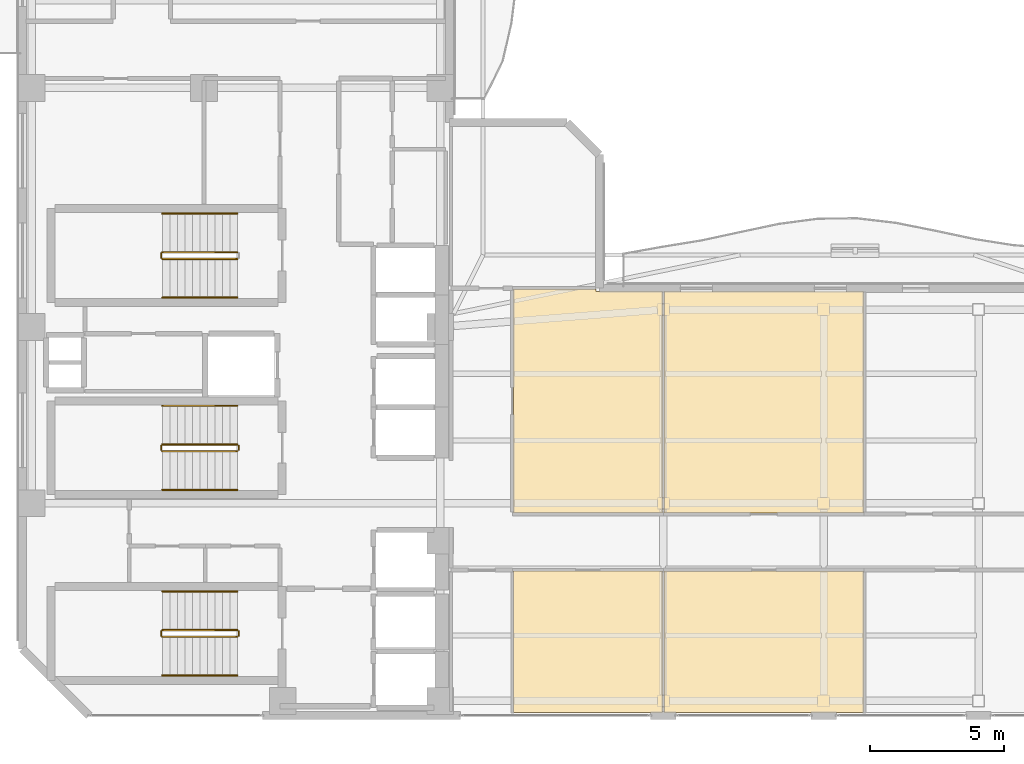
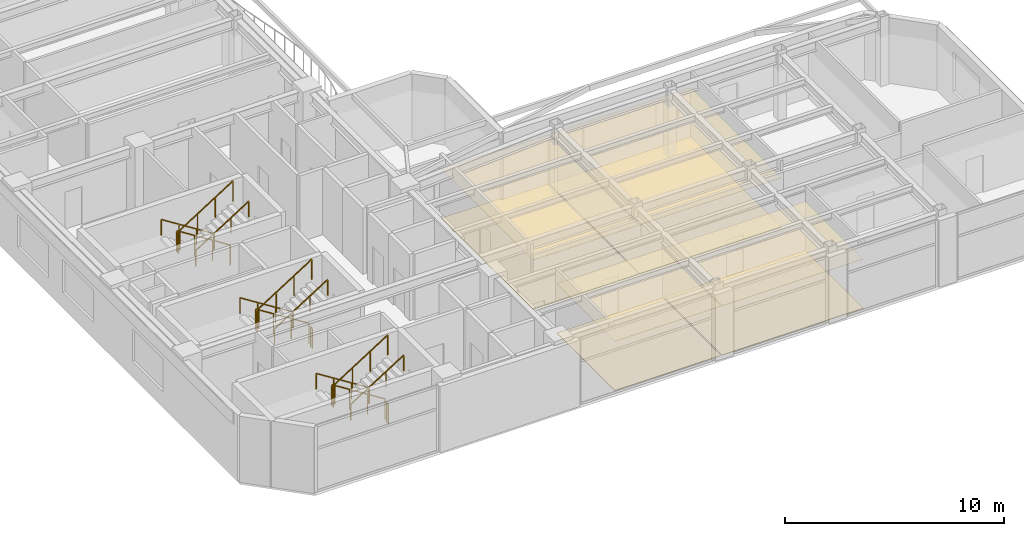
# One storey, part 13 of 16: 17 railings, 8 coverings.
"""IFC4 building model written with IfcOpenShell, lengths in metres."""

from ifc_helpers import new_model, si_unit, direction, frame, origin, origin_2d, place, context, subcontext, project, spatial, polyline, rectangle, outline, extrude, material, layer, layer_set, type_object, element, save


model = new_model("IFC4")

# Units and contexts
model_context = context("Model", 3, precision=1e-05, world=origin(), true_north=direction((0.0, 1.0)))
body_context = subcontext(model_context, "Body", "Model", "MODEL_VIEW")
ifc_project = project(units=[si_unit("LENGTHUNIT", "METRE"), si_unit("AREAUNIT", "SQUARE_METRE"), si_unit("VOLUMEUNIT", "CUBIC_METRE"), si_unit("PLANEANGLEUNIT", "RADIAN"), si_unit("MASSUNIT", "GRAM", prefix="KILO")], contexts=[model_context])

# Site, building, storey
site_placement = place(None, origin())
site = spatial("IfcSite", under=ifc_project, at=site_placement, CompositionType="ELEMENT")
building_placement = place(site_placement, origin())
building = spatial("IfcBuilding", under=site, at=building_placement, Name="Mawjaban Terraces University", CompositionType="ELEMENT")
storey_placement = place(building_placement, frame((0.0, 0.0, 230.39990234375)))
storey = spatial("IfcBuildingStorey", under=building, at=storey_placement, Name="L56", CompositionType="ELEMENT", Elevation=230.39990234375)

# Coverings
ifc_material_1 = material(Name="Acoustic mineral fibre ceiling tile", Category="masonry")
ifc_layer_1 = layer(ifc_material_1, 0.02001953125)
ifc_layer_set_1 = layer_set([ifc_layer_1], Name="Acoustic mineral fibre ceiling tile")
covering_type_1 = type_object("IfcCoveringType", Name="AcousticMineralCeiling_20", PredefinedType="CEILING", material=ifc_layer_set_1)
covering_1_placement = place(storey_placement, frame((0.0, 0.0, 2.75)))
element("IfcCovering", 1, at=covering_1_placement, inside=storey, type_object=covering_type_1, Name="L56 Conference Room 2 Acoustic Ceiling", PredefinedType="CEILING", context=body_context, shape_type="SweptSolid", body=[
    extrude(outline(polyline([(40.3798828125, 0.114990234375), (45.969970703125, 0.114990234375), (45.969970703125, 5.419921875), (40.3798828125, 5.419921875), (40.3798828125, 0.114990234375)])), origin(), (0.0, 0.0, 1.0), 0.02001953125),
])
covering_2_placement = place(storey_placement, frame((0.0, 0.0, 2.75)))
element("IfcCovering", 2, at=covering_2_placement, inside=storey, type_object=covering_type_1, Name="L56 Classroom 3 Acoustic Ceiling", PredefinedType="CEILING", context=body_context, shape_type="SweptSolid", body=[
    extrude(outline(polyline([(45.969970703125, 15.885009765625), (43.485107421875, 15.885009765625), (43.485107421875, 15.969970703125), (40.3798828125, 15.969970703125), (40.3798828125, 7.580078125), (45.969970703125, 7.580078125), (45.969970703125, 15.885009765625)])), origin(), (0.0, 0.0, 1.0), 0.02001953125),
])
covering_3_placement = place(storey_placement, frame((0.0, 0.0, 2.75)))
element("IfcCovering", 3, at=covering_3_placement, inside=storey, type_object=covering_type_1, Name="L56 Seminar Room 4 Acoustic Ceiling", PredefinedType="CEILING", context=body_context, shape_type="SweptSolid", body=[
    extrude(outline(polyline([(46.030029296875, 0.114990234375), (53.489990234375, 0.114990234375), (53.489990234375, 5.419921875), (46.030029296875, 5.419921875), (46.030029296875, 0.114990234375)])), origin(), (0.0, 0.0, 1.0), 0.02001953125),
])
covering_4_placement = place(storey_placement, frame((0.0, 0.0, 2.75)))
element("IfcCovering", 4, at=covering_4_placement, inside=storey, type_object=covering_type_1, Name="L56 Tutorial Room 5 Acoustic Ceiling", PredefinedType="CEILING", context=body_context, shape_type="SweptSolid", body=[
    extrude(outline(polyline([(53.489990234375, 15.885009765625), (46.030029296875, 15.885009765625), (46.030029296875, 7.580078125), (53.489990234375, 7.580078125), (53.489990234375, 15.885009765625)])), origin(), (0.0, 0.0, 1.0), 0.02001953125),
])

# Railings
ifc_material_2 = material(Name="Brushed stainless steel 316", Category="steel")
railing_type_1 = type_object("IfcRailingType", Name="StairWallHandrail_900", PredefinedType="HANDRAIL", material=ifc_material_2)
railing_1_placement = place(storey_placement, frame((30.050048828125, 4.64990234375, 0.177490234375)))
element("IfcRailing", 5, at=railing_1_placement, inside=storey, type_object=railing_type_1, Name="L56 ST-1 stair handrail 1", PredefinedType="HANDRAIL", context=body_context, shape_type="SweptSolid", body=[
    extrude(rectangle(XDim=0.048095703125, YDim=0.048095703125, at=origin_2d()), frame((0.0, 0.0, 0.8759765625), z_axis=(-0.844908973607, 0.0, 0.534910110503), x_axis=(0.0, -1.0, 0.0)), (0.0, 0.0, 1.0), 3.31396484375),
    extrude(rectangle(XDim=0.0419921875, YDim=0.0419921875, at=origin_2d()), origin(), (0.0, 0.0, 1.0), 0.851806640625),
    extrude(rectangle(XDim=0.0419921875, YDim=0.0419921875, at=origin_2d()), frame((-0.933349609375, 0.0, 0.5908203125)), (0.0, 0.0, 1.0), 0.851806640625),
    extrude(rectangle(XDim=0.0419921875, YDim=0.0419921875, at=origin_2d()), frame((-1.86669921875, 0.0, 1.181884765625)), (0.0, 0.0, 1.0), 0.851806640625),
    extrude(rectangle(XDim=0.0419921875, YDim=0.0419921875, at=origin_2d()), frame((-2.800048828125, 0.0, 1.772705078125)), (0.0, 0.0, 1.0), 0.851806640625),
])
railing_2_placement = place(storey_placement, frame((27.25, 1.5, 2.12744140625)))
element("IfcRailing", 6, at=railing_2_placement, inside=storey, type_object=railing_type_1, Name="L56 ST-1 stair handrail 2", PredefinedType="HANDRAIL", context=body_context, shape_type="SweptSolid", body=[
    extrude(rectangle(XDim=0.048095703125, YDim=0.048095703125, at=origin_2d()), frame((0.0, 0.0, 0.8759765625), z_axis=(0.844908973607, 0.0, 0.534910110503), x_axis=(0.0, 1.0, 0.0)), (0.0, 0.0, 1.0), 3.31396484375),
    extrude(rectangle(XDim=0.0419921875, YDim=0.0419921875, at=origin_2d()), origin(), (0.0, 0.0, 1.0), 0.851806640625),
    extrude(rectangle(XDim=0.0419921875, YDim=0.0419921875, at=origin_2d()), frame((0.933349609375, 0.0, 0.5908203125)), (0.0, 0.0, 1.0), 0.851806640625),
    extrude(rectangle(XDim=0.0419921875, YDim=0.0419921875, at=origin_2d()), frame((1.86669921875, 0.0, 1.181884765625)), (0.0, 0.0, 1.0), 0.851806640625),
    extrude(rectangle(XDim=0.0419921875, YDim=0.0419921875, at=origin_2d()), frame((2.800048828125, 0.0, 1.772705078125)), (0.0, 0.0, 1.0), 0.851806640625),
])
railing_3_placement = place(storey_placement, frame((30.050048828125, 18.800048828125, 0.177490234375)))
element("IfcRailing", 7, at=railing_3_placement, inside=storey, type_object=railing_type_1, Name="L56 ST-2 stair handrail 1", PredefinedType="HANDRAIL", context=body_context, shape_type="SweptSolid", body=[
    extrude(rectangle(XDim=0.048095703125, YDim=0.048095703125, at=origin_2d()), frame((0.0, 0.0, 0.8759765625), z_axis=(-0.844908973607, 0.0, 0.534910110503), x_axis=(0.0, -1.0, 0.0)), (0.0, 0.0, 1.0), 3.31396484375),
    extrude(rectangle(XDim=0.0419921875, YDim=0.0419921875, at=origin_2d()), origin(), (0.0, 0.0, 1.0), 0.851806640625),
    extrude(rectangle(XDim=0.0419921875, YDim=0.0419921875, at=origin_2d()), frame((-0.933349609375, 0.0, 0.5908203125)), (0.0, 0.0, 1.0), 0.851806640625),
    extrude(rectangle(XDim=0.0419921875, YDim=0.0419921875, at=origin_2d()), frame((-1.86669921875, 0.0, 1.181884765625)), (0.0, 0.0, 1.0), 0.851806640625),
    extrude(rectangle(XDim=0.0419921875, YDim=0.0419921875, at=origin_2d()), frame((-2.800048828125, 0.0, 1.772705078125)), (0.0, 0.0, 1.0), 0.851806640625),
])
railing_4_placement = place(storey_placement, frame((27.25, 15.64990234375, 2.12744140625)))
element("IfcRailing", 8, at=railing_4_placement, inside=storey, type_object=railing_type_1, Name="L56 ST-2 stair handrail 2", PredefinedType="HANDRAIL", context=body_context, shape_type="SweptSolid", body=[
    extrude(rectangle(XDim=0.048095703125, YDim=0.048095703125, at=origin_2d()), frame((0.0, 0.0, 0.8759765625), z_axis=(0.844908973607, 0.0, 0.534910110503), x_axis=(0.0, 1.0, 0.0)), (0.0, 0.0, 1.0), 3.31396484375),
    extrude(rectangle(XDim=0.0419921875, YDim=0.0419921875, at=origin_2d()), origin(), (0.0, 0.0, 1.0), 0.851806640625),
    extrude(rectangle(XDim=0.0419921875, YDim=0.0419921875, at=origin_2d()), frame((0.933349609375, 0.0, 0.5908203125)), (0.0, 0.0, 1.0), 0.851806640625),
    extrude(rectangle(XDim=0.0419921875, YDim=0.0419921875, at=origin_2d()), frame((1.86669921875, 0.0, 1.181884765625)), (0.0, 0.0, 1.0), 0.851806640625),
    extrude(rectangle(XDim=0.0419921875, YDim=0.0419921875, at=origin_2d()), frame((2.800048828125, 0.0, 1.772705078125)), (0.0, 0.0, 1.0), 0.851806640625),
])
railing_5_placement = place(storey_placement, frame((30.050048828125, 11.60009765625, 0.177490234375)))
element("IfcRailing", 9, at=railing_5_placement, inside=storey, type_object=railing_type_1, Name="L56 ST-3 stair handrail 1", PredefinedType="HANDRAIL", context=body_context, shape_type="SweptSolid", body=[
    extrude(rectangle(XDim=0.048095703125, YDim=0.048095703125, at=origin_2d()), frame((0.0, 0.0, 0.8759765625), z_axis=(-0.844908973607, 0.0, 0.534910110503), x_axis=(0.0, -1.0, 0.0)), (0.0, 0.0, 1.0), 3.31396484375),
    extrude(rectangle(XDim=0.0419921875, YDim=0.0419921875, at=origin_2d()), origin(), (0.0, 0.0, 1.0), 0.851806640625),
    extrude(rectangle(XDim=0.0419921875, YDim=0.0419921875, at=origin_2d()), frame((-0.933349609375, 0.0, 0.5908203125)), (0.0, 0.0, 1.0), 0.851806640625),
    extrude(rectangle(XDim=0.0419921875, YDim=0.0419921875, at=origin_2d()), frame((-1.86669921875, 0.0, 1.181884765625)), (0.0, 0.0, 1.0), 0.851806640625),
    extrude(rectangle(XDim=0.0419921875, YDim=0.0419921875, at=origin_2d()), frame((-2.800048828125, 0.0, 1.772705078125)), (0.0, 0.0, 1.0), 0.851806640625),
])
railing_6_placement = place(storey_placement, frame((27.25, 8.449951171875, 2.12744140625)))
element("IfcRailing", 10, at=railing_6_placement, inside=storey, type_object=railing_type_1, Name="L56 ST-3 stair handrail 2", PredefinedType="HANDRAIL", context=body_context, shape_type="SweptSolid", body=[
    extrude(rectangle(XDim=0.048095703125, YDim=0.048095703125, at=origin_2d()), frame((0.0, 0.0, 0.8759765625), z_axis=(0.844908973607, 0.0, 0.534910110503), x_axis=(0.0, 1.0, 0.0)), (0.0, 0.0, 1.0), 3.31396484375),
    extrude(rectangle(XDim=0.0419921875, YDim=0.0419921875, at=origin_2d()), origin(), (0.0, 0.0, 1.0), 0.851806640625),
    extrude(rectangle(XDim=0.0419921875, YDim=0.0419921875, at=origin_2d()), frame((0.933349609375, 0.0, 0.5908203125)), (0.0, 0.0, 1.0), 0.851806640625),
    extrude(rectangle(XDim=0.0419921875, YDim=0.0419921875, at=origin_2d()), frame((1.86669921875, 0.0, 1.181884765625)), (0.0, 0.0, 1.0), 0.851806640625),
    extrude(rectangle(XDim=0.0419921875, YDim=0.0419921875, at=origin_2d()), frame((2.800048828125, 0.0, 1.772705078125)), (0.0, 0.0, 1.0), 0.851806640625),
])
ifc_material_3 = material(Name="Galvanised painted steel S355", Category="steel")
railing_type_2 = type_object("IfcRailingType", Name="StairWellGuard_1150", PredefinedType="BALUSTRADE", material=ifc_material_3)
railing_7_placement = place(storey_placement, frame((30.050048828125, 3.199951171875, 0.177490234375)))
element("IfcRailing", 11, at=railing_7_placement, inside=storey, type_object=railing_type_2, Name="L56 ST-1 stair guard 1", PredefinedType="BALUSTRADE", context=body_context, shape_type="SweptSolid", body=[
    extrude(rectangle(XDim=0.048095703125, YDim=0.048095703125, at=origin_2d()), frame((0.0, 0.0, 1.1259765625), z_axis=(-0.844908973607, 0.0, 0.534910110503), x_axis=(0.0, -1.0, 0.0)), (0.0, 0.0, 1.0), 3.31396484375),
    extrude(rectangle(XDim=0.0419921875, YDim=0.0419921875, at=origin_2d()), origin(), (0.0, 0.0, 1.0), 1.101806640625),
    extrude(rectangle(XDim=0.0419921875, YDim=0.0419921875, at=origin_2d()), frame((-0.933349609375, 0.0, 0.5908203125)), (0.0, 0.0, 1.0), 1.101806640625),
    extrude(rectangle(XDim=0.0419921875, YDim=0.0419921875, at=origin_2d()), frame((-1.86669921875, 0.0, 1.181884765625)), (0.0, 0.0, 1.0), 1.101806640625),
    extrude(rectangle(XDim=0.0419921875, YDim=0.0419921875, at=origin_2d()), frame((-2.800048828125, 0.0, 1.772705078125)), (0.0, 0.0, 1.0), 1.101806640625),
])
railing_8_placement = place(storey_placement, frame((27.199951171875, 3.14990234375, 1.9501953125)))
element("IfcRailing", 12, at=railing_8_placement, inside=storey, type_object=railing_type_2, Name="L56 ST-1 stair guard 2", PredefinedType="BALUSTRADE", context=body_context, shape_type="SweptSolid", body=[
    extrude(rectangle(XDim=0.048095703125, YDim=0.048095703125, at=origin_2d()), frame((0.0, 0.0, 1.1259765625), z_axis=(0.0, -1.0, 0.0), x_axis=(1.0, 0.0, 0.0)), (0.0, 0.0, 1.0), 0.14990234375),
    extrude(rectangle(XDim=0.0419921875, YDim=0.0419921875, at=origin_2d()), origin(), (0.0, 0.0, 1.0), 1.101806640625),
    extrude(rectangle(XDim=0.0419921875, YDim=0.0419921875, at=origin_2d()), frame((0.0, -0.14990234375, 0.0)), (0.0, 0.0, 1.0), 1.101806640625),
])
railing_9_placement = place(storey_placement, frame((27.25, 2.949951171875, 2.12744140625)))
element("IfcRailing", 13, at=railing_9_placement, inside=storey, type_object=railing_type_2, Name="L56 ST-1 stair guard 3", PredefinedType="BALUSTRADE", context=body_context, shape_type="SweptSolid", body=[
    extrude(rectangle(XDim=0.048095703125, YDim=0.048095703125, at=origin_2d()), frame((0.0, 0.0, 1.1259765625), z_axis=(0.844908973607, 0.0, 0.534910110503), x_axis=(0.0, 1.0, 0.0)), (0.0, 0.0, 1.0), 3.31396484375),
    extrude(rectangle(XDim=0.0419921875, YDim=0.0419921875, at=origin_2d()), origin(), (0.0, 0.0, 1.0), 1.101806640625),
    extrude(rectangle(XDim=0.0419921875, YDim=0.0419921875, at=origin_2d()), frame((0.933349609375, 0.0, 0.5908203125)), (0.0, 0.0, 1.0), 1.101806640625),
    extrude(rectangle(XDim=0.0419921875, YDim=0.0419921875, at=origin_2d()), frame((1.86669921875, 0.0, 1.181884765625)), (0.0, 0.0, 1.0), 1.101806640625),
    extrude(rectangle(XDim=0.0419921875, YDim=0.0419921875, at=origin_2d()), frame((2.800048828125, 0.0, 1.772705078125)), (0.0, 0.0, 1.0), 1.101806640625),
])
railing_10_placement = place(storey_placement, frame((30.10009765625, 3.14990234375, 0.0)))
element("IfcRailing", 14, at=railing_10_placement, inside=storey, type_object=railing_type_2, Name="L56 ST-1 stair guard 4", PredefinedType="BALUSTRADE", context=body_context, shape_type="SweptSolid", body=[
    extrude(rectangle(XDim=0.048095703125, YDim=0.048095703125, at=origin_2d()), frame((0.0, 0.0, 1.1259765625), z_axis=(0.0, -1.0, 0.0), x_axis=(1.0, 0.0, 0.0)), (0.0, 0.0, 1.0), 0.14990234375),
    extrude(rectangle(XDim=0.0419921875, YDim=0.0419921875, at=origin_2d()), origin(), (0.0, 0.0, 1.0), 1.101806640625),
    extrude(rectangle(XDim=0.0419921875, YDim=0.0419921875, at=origin_2d()), frame((0.0, -0.14990234375, 0.0)), (0.0, 0.0, 1.0), 1.101806640625),
])
railing_11_placement = place(storey_placement, frame((30.050048828125, 17.35009765625, 0.177490234375)))
element("IfcRailing", 15, at=railing_11_placement, inside=storey, type_object=railing_type_2, Name="L56 ST-2 stair guard 1", PredefinedType="BALUSTRADE", context=body_context, shape_type="SweptSolid", body=[
    extrude(rectangle(XDim=0.048095703125, YDim=0.048095703125, at=origin_2d()), frame((0.0, 0.0, 1.1259765625), z_axis=(-0.844908973607, 0.0, 0.534910110503), x_axis=(0.0, -1.0, 0.0)), (0.0, 0.0, 1.0), 3.31396484375),
    extrude(rectangle(XDim=0.0419921875, YDim=0.0419921875, at=origin_2d()), origin(), (0.0, 0.0, 1.0), 1.101806640625),
    extrude(rectangle(XDim=0.0419921875, YDim=0.0419921875, at=origin_2d()), frame((-0.933349609375, 0.0, 0.5908203125)), (0.0, 0.0, 1.0), 1.101806640625),
    extrude(rectangle(XDim=0.0419921875, YDim=0.0419921875, at=origin_2d()), frame((-1.86669921875, 0.0, 1.181884765625)), (0.0, 0.0, 1.0), 1.101806640625),
    extrude(rectangle(XDim=0.0419921875, YDim=0.0419921875, at=origin_2d()), frame((-2.800048828125, 0.0, 1.772705078125)), (0.0, 0.0, 1.0), 1.101806640625),
])
railing_12_placement = place(storey_placement, frame((27.199951171875, 17.300048828125, 1.9501953125)))
element("IfcRailing", 16, at=railing_12_placement, inside=storey, type_object=railing_type_2, Name="L56 ST-2 stair guard 2", PredefinedType="BALUSTRADE", context=body_context, shape_type="SweptSolid", body=[
    extrude(rectangle(XDim=0.048095703125, YDim=0.048095703125, at=origin_2d()), frame((0.0, 0.0, 1.1259765625), z_axis=(0.0, -1.0, 0.0), x_axis=(1.0, 0.0, 0.0)), (0.0, 0.0, 1.0), 0.150146484375),
    extrude(rectangle(XDim=0.0419921875, YDim=0.0419921875, at=origin_2d()), origin(), (0.0, 0.0, 1.0), 1.101806640625),
    extrude(rectangle(XDim=0.0419921875, YDim=0.0419921875, at=origin_2d()), frame((0.0, -0.150146484375, 0.0)), (0.0, 0.0, 1.0), 1.101806640625),
])
railing_13_placement = place(storey_placement, frame((27.25, 17.10009765625, 2.12744140625)))
element("IfcRailing", 17, at=railing_13_placement, inside=storey, type_object=railing_type_2, Name="L56 ST-2 stair guard 3", PredefinedType="BALUSTRADE", context=body_context, shape_type="SweptSolid", body=[
    extrude(rectangle(XDim=0.048095703125, YDim=0.048095703125, at=origin_2d()), frame((0.0, 0.0, 1.1259765625), z_axis=(0.844908973607, 0.0, 0.534910110503), x_axis=(0.0, 1.0, 0.0)), (0.0, 0.0, 1.0), 3.31396484375),
    extrude(rectangle(XDim=0.0419921875, YDim=0.0419921875, at=origin_2d()), origin(), (0.0, 0.0, 1.0), 1.101806640625),
    extrude(rectangle(XDim=0.0419921875, YDim=0.0419921875, at=origin_2d()), frame((0.933349609375, 0.0, 0.5908203125)), (0.0, 0.0, 1.0), 1.101806640625),
    extrude(rectangle(XDim=0.0419921875, YDim=0.0419921875, at=origin_2d()), frame((1.86669921875, 0.0, 1.181884765625)), (0.0, 0.0, 1.0), 1.101806640625),
    extrude(rectangle(XDim=0.0419921875, YDim=0.0419921875, at=origin_2d()), frame((2.800048828125, 0.0, 1.772705078125)), (0.0, 0.0, 1.0), 1.101806640625),
])
railing_14_placement = place(storey_placement, frame((30.050048828125, 10.14990234375, 0.177490234375)))
element("IfcRailing", 18, at=railing_14_placement, inside=storey, type_object=railing_type_2, Name="L56 ST-3 stair guard 1", PredefinedType="BALUSTRADE", context=body_context, shape_type="SweptSolid", body=[
    extrude(rectangle(XDim=0.048095703125, YDim=0.048095703125, at=origin_2d()), frame((0.0, 0.0, 1.1259765625), z_axis=(-0.844908973607, 0.0, 0.534910110503), x_axis=(0.0, -1.0, 0.0)), (0.0, 0.0, 1.0), 3.31396484375),
    extrude(rectangle(XDim=0.0419921875, YDim=0.0419921875, at=origin_2d()), origin(), (0.0, 0.0, 1.0), 1.101806640625),
    extrude(rectangle(XDim=0.0419921875, YDim=0.0419921875, at=origin_2d()), frame((-0.933349609375, 0.0, 0.5908203125)), (0.0, 0.0, 1.0), 1.101806640625),
    extrude(rectangle(XDim=0.0419921875, YDim=0.0419921875, at=origin_2d()), frame((-1.86669921875, 0.0, 1.181884765625)), (0.0, 0.0, 1.0), 1.101806640625),
    extrude(rectangle(XDim=0.0419921875, YDim=0.0419921875, at=origin_2d()), frame((-2.800048828125, 0.0, 1.772705078125)), (0.0, 0.0, 1.0), 1.101806640625),
])
railing_15_placement = place(storey_placement, frame((27.199951171875, 10.10009765625, 1.9501953125)))
element("IfcRailing", 19, at=railing_15_placement, inside=storey, type_object=railing_type_2, Name="L56 ST-3 stair guard 2", PredefinedType="BALUSTRADE", context=body_context, shape_type="SweptSolid", body=[
    extrude(rectangle(XDim=0.048095703125, YDim=0.048095703125, at=origin_2d()), frame((0.0, 0.0, 1.1259765625), z_axis=(0.0, -1.0, 0.0), x_axis=(1.0, 0.0, 0.0)), (0.0, 0.0, 1.0), 0.150146484375),
    extrude(rectangle(XDim=0.0419921875, YDim=0.0419921875, at=origin_2d()), origin(), (0.0, 0.0, 1.0), 1.101806640625),
    extrude(rectangle(XDim=0.0419921875, YDim=0.0419921875, at=origin_2d()), frame((0.0, -0.150146484375, 0.0)), (0.0, 0.0, 1.0), 1.101806640625),
])
railing_16_placement = place(storey_placement, frame((27.25, 9.89990234375, 2.12744140625)))
element("IfcRailing", 20, at=railing_16_placement, inside=storey, type_object=railing_type_2, Name="L56 ST-3 stair guard 3", PredefinedType="BALUSTRADE", context=body_context, shape_type="SweptSolid", body=[
    extrude(rectangle(XDim=0.048095703125, YDim=0.048095703125, at=origin_2d()), frame((0.0, 0.0, 1.1259765625), z_axis=(0.844908973607, 0.0, 0.534910110503), x_axis=(0.0, 1.0, 0.0)), (0.0, 0.0, 1.0), 3.31396484375),
    extrude(rectangle(XDim=0.0419921875, YDim=0.0419921875, at=origin_2d()), origin(), (0.0, 0.0, 1.0), 1.101806640625),
    extrude(rectangle(XDim=0.0419921875, YDim=0.0419921875, at=origin_2d()), frame((0.933349609375, 0.0, 0.5908203125)), (0.0, 0.0, 1.0), 1.101806640625),
    extrude(rectangle(XDim=0.0419921875, YDim=0.0419921875, at=origin_2d()), frame((1.86669921875, 0.0, 1.181884765625)), (0.0, 0.0, 1.0), 1.101806640625),
    extrude(rectangle(XDim=0.0419921875, YDim=0.0419921875, at=origin_2d()), frame((2.800048828125, 0.0, 1.772705078125)), (0.0, 0.0, 1.0), 1.101806640625),
])
railing_17_placement = place(storey_placement, frame((30.10009765625, 10.10009765625, 0.0)))
element("IfcRailing", 21, at=railing_17_placement, inside=storey, type_object=railing_type_2, Name="L56 ST-3 stair guard 4", PredefinedType="BALUSTRADE", context=body_context, shape_type="SweptSolid", body=[
    extrude(rectangle(XDim=0.048095703125, YDim=0.048095703125, at=origin_2d()), frame((0.0, 0.0, 1.1259765625), z_axis=(0.0, -1.0, 0.0), x_axis=(1.0, 0.0, 0.0)), (0.0, 0.0, 1.0), 0.150146484375),
    extrude(rectangle(XDim=0.0419921875, YDim=0.0419921875, at=origin_2d()), origin(), (0.0, 0.0, 1.0), 1.101806640625),
    extrude(rectangle(XDim=0.0419921875, YDim=0.0419921875, at=origin_2d()), frame((0.0, -0.150146484375, 0.0)), (0.0, 0.0, 1.0), 1.101806640625),
])

# Coverings
ifc_material_4 = material(Name="Polished Hijazi granite terrazzo flooring", Category="masonry")
ifc_layer_2 = layer(ifc_material_4, 0.02490234375)
ifc_layer_set_2 = layer_set([ifc_layer_2], Name="Polished Hijazi granite terrazzo flooring")
covering_type_2 = type_object("IfcCoveringType", Name="TerrazzoConcourseFlooring_25", PredefinedType="FLOORING", material=ifc_layer_set_2)
covering_5_placement = place(storey_placement, origin())
element("IfcCovering", 22, at=covering_5_placement, inside=storey, type_object=covering_type_2, Name="L56 Conference Room 2 Terrazzo Flooring", PredefinedType="FLOORING", context=body_context, shape_type="SweptSolid", body=[
    extrude(outline(polyline([(40.3798828125, 0.114990234375), (45.969970703125, 0.114990234375), (45.969970703125, 5.419921875), (40.3798828125, 5.419921875), (40.3798828125, 0.114990234375)])), origin(), (0.0, 0.0, 1.0), 0.025146484375),
])
covering_6_placement = place(storey_placement, origin())
element("IfcCovering", 23, at=covering_6_placement, inside=storey, type_object=covering_type_2, Name="L56 Classroom 3 Terrazzo Flooring", PredefinedType="FLOORING", context=body_context, shape_type="SweptSolid", body=[
    extrude(outline(polyline([(45.969970703125, 15.885009765625), (43.485107421875, 15.885009765625), (43.485107421875, 15.969970703125), (40.3798828125, 15.969970703125), (40.3798828125, 7.580078125), (45.969970703125, 7.580078125), (45.969970703125, 15.885009765625)])), origin(), (0.0, 0.0, 1.0), 0.025146484375),
])
covering_7_placement = place(storey_placement, origin())
element("IfcCovering", 24, at=covering_7_placement, inside=storey, type_object=covering_type_2, Name="L56 Seminar Room 4 Terrazzo Flooring", PredefinedType="FLOORING", context=body_context, shape_type="SweptSolid", body=[
    extrude(outline(polyline([(46.030029296875, 0.114990234375), (53.489990234375, 0.114990234375), (53.489990234375, 5.419921875), (46.030029296875, 5.419921875), (46.030029296875, 0.114990234375)])), origin(), (0.0, 0.0, 1.0), 0.025146484375),
])
covering_8_placement = place(storey_placement, origin())
element("IfcCovering", 25, at=covering_8_placement, inside=storey, type_object=covering_type_2, Name="L56 Tutorial Room 5 Terrazzo Flooring", PredefinedType="FLOORING", context=body_context, shape_type="SweptSolid", body=[
    extrude(outline(polyline([(53.489990234375, 15.885009765625), (46.030029296875, 15.885009765625), (46.030029296875, 7.580078125), (53.489990234375, 7.580078125), (53.489990234375, 15.885009765625)])), origin(), (0.0, 0.0, 1.0), 0.025146484375),
])

save(model, "model.ifc")
